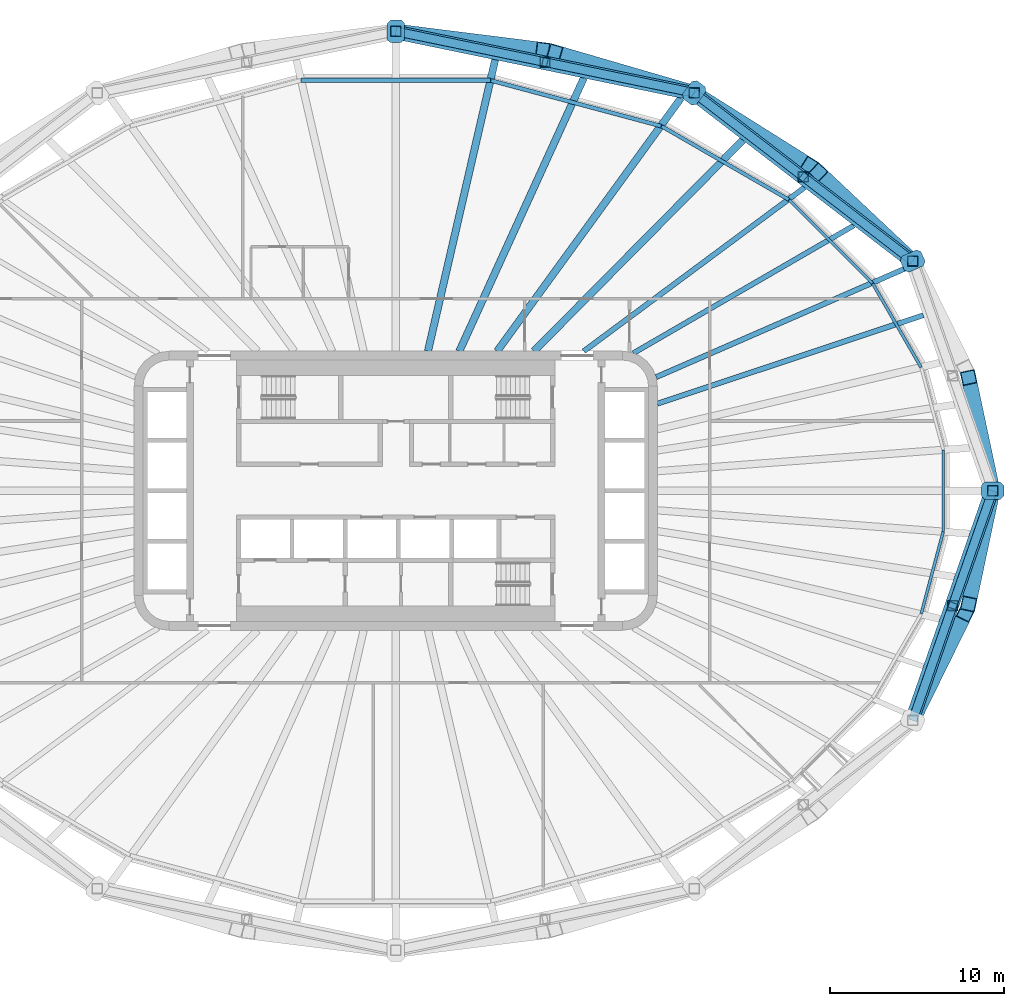
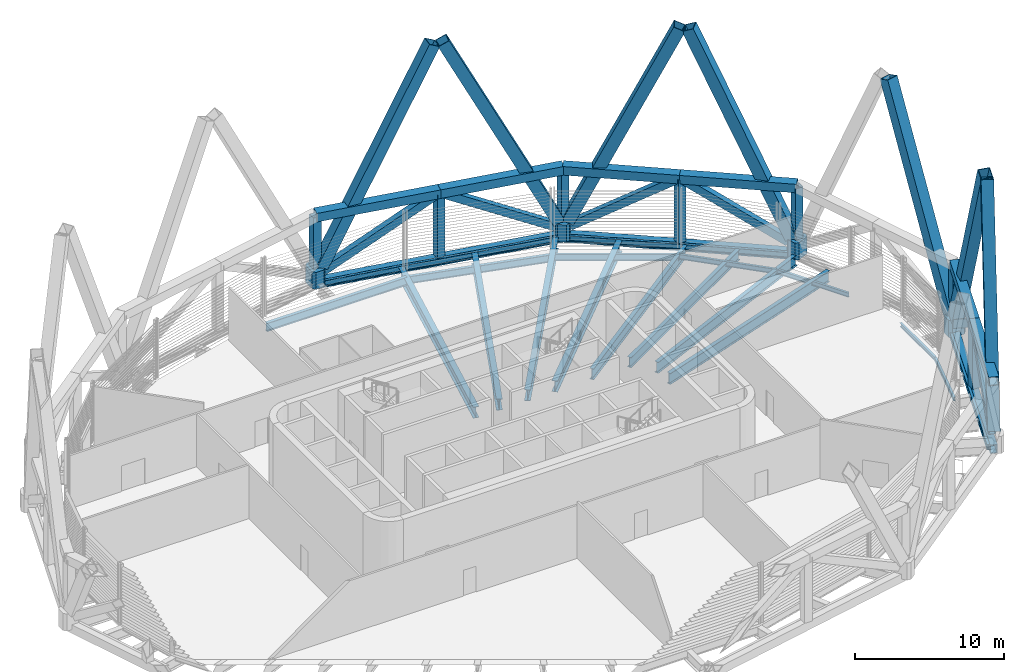
# One storey, part 4 of 18: 30 members, 21 beams.
"""IFC4 building model written with IfcOpenShell, lengths in metres."""

from ifc_helpers import new_model, si_unit, direction, frame, origin, origin_2d, place, context, subcontext, project, spatial, polyline, hollow_rectangle, i_section, outline, extrude, material, material_profile, profile_set, type_object, element, save


model = new_model("IFC4")

# Units and contexts
model_context = context("Model", 3, precision=1e-05, world=origin(), true_north=direction((0.0, 1.0)))
body_context = subcontext(model_context, "Body", "Model", "MODEL_VIEW")
ifc_project = project(units=[si_unit("LENGTHUNIT", "METRE"), si_unit("AREAUNIT", "SQUARE_METRE"), si_unit("VOLUMEUNIT", "CUBIC_METRE"), si_unit("PLANEANGLEUNIT", "RADIAN"), si_unit("MASSUNIT", "GRAM", prefix="KILO")], contexts=[model_context])

# Site, building, storey
site_placement = place(None, origin())
site = spatial("IfcSite", under=ifc_project, at=site_placement, CompositionType="ELEMENT")
building_placement = place(site_placement, origin())
building = spatial("IfcBuilding", under=site, at=building_placement, Name="Sahrelin Media Tower", CompositionType="ELEMENT")
storey_placement = place(building_placement, frame((0.0, 0.0, 148.199951171875)))
storey = spatial("IfcBuildingStorey", under=building, at=storey_placement, Name="L30", CompositionType="ELEMENT", Elevation=148.199951171875)

# Members
ifc_material_1 = material(Name="Steel S460", Category="steel")
ifc_material_profile_1 = material_profile(ifc_material_1, hollow_rectangle(XDim=0.699951171875, YDim=0.699951171875, WallThickness=0.044921875, at=origin_2d()), Name="Belt truss chord BC")
ifc_profile_set_1 = profile_set([ifc_material_profile_1], Name="Steel S460")
member_type_1 = type_object("IfcMemberType", Name="Belt truss chord BC", PredefinedType="CHORD", material=ifc_profile_set_1)
member_1_placement = place(storey_placement, frame((29.642822265625, 13.1728515625, 4.900146484375), z_axis=(-0.792443697113, 0.609945068761, 0.0), x_axis=(-0.609945068761, -0.792443697113, 0.0)))
element("IfcMember", 1, at=member_1_placement, inside=storey, type_object=member_type_1, Name="Belt truss member BT06-01-T1", PredefinedType="CHORD", context=body_context, shape_type="SweptSolid", body=[
    extrude(hollow_rectangle(XDim=0.699951171875, YDim=0.699951171875, WallThickness=0.044921875, at=origin_2d()), origin(), (0.0, 0.0, 1.0), 7.90478515625),
])
member_2_placement = place(storey_placement, frame((23.378662109375, 17.994384765625, 4.900146484375), z_axis=(-0.792455186877, 0.609930140911, 0.0), x_axis=(-0.609930140911, -0.792455186877, 0.0)))
element("IfcMember", 2, at=member_2_placement, inside=storey, type_object=member_type_1, Name="Belt truss member BT06-01-T2", PredefinedType="CHORD", context=body_context, shape_type="SweptSolid", body=[
    extrude(hollow_rectangle(XDim=0.699951171875, YDim=0.699951171875, WallThickness=0.044921875, at=origin_2d()), origin(), (0.0, 0.0, 1.0), 7.905029296875),
])
for number, where, z_axis, x_axis, name in (
    (3, (17.1142578125, 22.81591796875, 4.900146484375), (-0.979386210613, 0.20199665953, 0.0), (-0.20199665953, -0.979386210613, 0.0), "Belt truss member BT06-02-T1"),
    (4, (8.55712890625, 24.580810546875, 4.900146484375), (-0.979386210613, 0.20199665953, 0.0), (-0.20199665953, -0.979386210613, 0.0), "Belt truss member BT06-02-T2"),
):
    element("IfcMember", number, at=place(storey_placement, frame(where, z_axis=z_axis, x_axis=x_axis)), inside=storey, type_object=member_type_1, Name=name, PredefinedType="CHORD", context=body_context, shape_type="SweptSolid", body=[
        extrude(hollow_rectangle(XDim=0.699951171875, YDim=0.699951171875, WallThickness=0.044921875, at=origin_2d()), origin(), (0.0, 0.0, 1.0), 8.7373046875),
    ])
for number, where, z_axis, x_axis, name in (
    (5, (29.642822265625, -13.1728515625, 4.900146484375), (0.328781301843, 0.944406086151, 0.0), (-0.944406086151, 0.328781301843, 0.0), "Belt truss member BT06-11-T1"),
    (6, (31.935791015625, -6.58642578125, 4.900146484375), (0.328781301843, 0.944406086151, 0.0), (-0.944406086151, 0.328781301843, 0.0), "Belt truss member BT06-11-T2"),
):
    element("IfcMember", number, at=place(storey_placement, frame(where, z_axis=z_axis, x_axis=x_axis)), inside=storey, type_object=member_type_1, Name=name, PredefinedType="CHORD", context=body_context, shape_type="SweptSolid", body=[
        extrude(hollow_rectangle(XDim=0.699951171875, YDim=0.699951171875, WallThickness=0.044921875, at=origin_2d()), origin(), (0.0, 0.0, 1.0), 6.97412109375),
    ])
ifc_material_profile_2 = material_profile(ifc_material_1, hollow_rectangle(XDim=0.5, YDim=0.60009765625, WallThickness=0.030029296875, at=origin_2d()), Name="Belt truss diagonal BD")
ifc_profile_set_2 = profile_set([ifc_material_profile_2], Name="Steel S460")
member_type_2 = type_object("IfcMemberType", Name="Belt truss diagonal BD", PredefinedType="BRACE", material=ifc_profile_set_2)
member_3_placement = place(storey_placement, frame((29.192138671875, 13.519775390625, 0.3525390625), z_axis=(-0.673534148891, 0.51841650768, 0.526873869956), x_axis=(-0.609942328801, -0.792445806057, 0.0)))
element("IfcMember", 7, at=member_3_placement, inside=storey, type_object=member_type_2, Name="Belt truss member BT06-01-X1", PredefinedType="BRACE", context=body_context, shape_type="SweptSolid", body=[
    extrude(hollow_rectangle(XDim=0.5, YDim=0.60009765625, WallThickness=0.030029296875, at=origin_2d()), origin(), (0.0, 0.0, 1.0), 8.63134765625),
])
member_4_placement = place(storey_placement, frame((17.510498046875, 22.510986328125, 0.31005859375), z_axis=(0.673550356599, -0.518417440385, 0.526852232253), x_axis=(0.609933801011, 0.792452369789, 0.0)))
element("IfcMember", 8, at=member_4_placement, inside=storey, type_object=member_type_2, Name="Belt truss member BT06-01-X2", PredefinedType="BRACE", context=body_context, shape_type="SweptSolid", body=[
    extrude(hollow_rectangle(XDim=0.5, YDim=0.60009765625, WallThickness=0.030029296875, at=origin_2d()), origin(), (0.0, 0.0, 1.0), 8.71240234375),
])
member_5_placement = place(storey_placement, frame((16.572998046875, 22.927490234375, 0.31005859375), z_axis=(-0.854220181394, 0.17618795323, 0.489147919178), x_axis=(-0.20200387828, -0.979384721731, 0.0)))
element("IfcMember", 9, at=member_5_placement, inside=storey, type_object=member_type_2, Name="Belt truss member BT06-02-X1", PredefinedType="BRACE", context=body_context, shape_type="SweptSolid", body=[
    extrude(hollow_rectangle(XDim=0.5, YDim=0.60009765625, WallThickness=0.030029296875, at=origin_2d()), origin(), (0.0, 0.0, 1.0), 9.3837890625),
])
member_6_placement = place(storey_placement, frame((0.5, 26.24267578125, 0.286376953125), z_axis=(0.854217177148, -0.176191028569, 0.489152057868), x_axis=(0.202007941811, 0.979383883595, 0.0)))
element("IfcMember", 10, at=member_6_placement, inside=storey, type_object=member_type_2, Name="Belt truss member BT06-02-X2", PredefinedType="BRACE", context=body_context, shape_type="SweptSolid", body=[
    extrude(hollow_rectangle(XDim=0.5, YDim=0.60009765625, WallThickness=0.030029296875, at=origin_2d()), origin(), (0.0, 0.0, 1.0), 9.43212890625),
])
member_7_placement = place(storey_placement, frame((29.807861328125, -12.69921875, 0.3525390625), z_axis=(0.269002707075, 0.772750089461, 0.574886808706), x_axis=(-0.944413313299, 0.328760541525, 0.0)))
element("IfcMember", 11, at=member_7_placement, inside=storey, type_object=member_type_2, Name="Belt truss member BT06-11-X1", PredefinedType="BRACE", context=body_context, shape_type="SweptSolid", body=[
    extrude(hollow_rectangle(XDim=0.5, YDim=0.60009765625, WallThickness=0.030029296875, at=origin_2d()), origin(), (0.0, 0.0, 1.0), 7.910400390625),
])
member_8_placement = place(storey_placement, frame((34.0546875, -0.5, 0.3720703125), z_axis=(-0.269018182349, -0.772741477817, 0.574891142763), x_axis=(0.944406303282, -0.328780678146, 0.0)))
element("IfcMember", 12, at=member_8_placement, inside=storey, type_object=member_type_2, Name="Belt truss member BT06-11-X2", PredefinedType="BRACE", context=body_context, shape_type="SweptSolid", body=[
    extrude(hollow_rectangle(XDim=0.5, YDim=0.60009765625, WallThickness=0.030029296875, at=origin_2d()), origin(), (0.0, 0.0, 1.0), 7.87646484375),
])
ifc_material_profile_3 = material_profile(ifc_material_1, hollow_rectangle(XDim=0.60009765625, YDim=0.60009765625, WallThickness=0.034912109375, at=origin_2d()), Name="Belt truss post BP")
ifc_profile_set_3 = profile_set([ifc_material_profile_3], Name="Steel S460")
member_type_3 = type_object("IfcMemberType", Name="Belt truss post BP", PredefinedType="POST", material=ifc_profile_set_3)
for number, where, z_axis, x_axis, name in (
    (13, (34.228759765625, 0.0, 0.699951171875), (0.0, 0.0, 1.0), (1.0, 0.0, 0.0), "Belt truss member BT06-00-P0"),
    (14, (29.642822265625, 13.1728515625, 0.699951171875), (0.0, 0.0, 1.0), (1.0, 0.0, 0.0), "Belt truss member BT06-01-P0"),
):
    element("IfcMember", number, at=place(storey_placement, frame(where, z_axis=z_axis, x_axis=x_axis)), inside=storey, type_object=member_type_3, Name=name, PredefinedType="POST", context=body_context, shape_type="SweptSolid", body=[
        extrude(hollow_rectangle(XDim=0.60009765625, YDim=0.60009765625, WallThickness=0.034912109375, at=origin_2d()), origin(), (0.0, 0.0, 1.0), 4.2001953125),
    ])
member_9_placement = place(storey_placement, frame((23.378662109375, 17.994384765625, -0.320068359375), z_axis=(0.0, 0.0, 1.0), x_axis=(1.0, 0.0, 0.0)))
element("IfcMember", 15, at=member_9_placement, inside=storey, type_object=member_type_3, Name="Belt truss member BT06-01-P1", PredefinedType="POST", context=body_context, shape_type="SweptSolid", body=[
    extrude(hollow_rectangle(XDim=0.60009765625, YDim=0.60009765625, WallThickness=0.034912109375, at=origin_2d()), origin(), (0.0, 0.0, 1.0), 5.22021484375),
])
member_10_placement = place(storey_placement, frame((17.1142578125, 22.81591796875, 0.699951171875), z_axis=(0.0, 0.0, 1.0), x_axis=(1.0, 0.0, 0.0)))
element("IfcMember", 16, at=member_10_placement, inside=storey, type_object=member_type_3, Name="Belt truss member BT06-02-P0", PredefinedType="POST", context=body_context, shape_type="SweptSolid", body=[
    extrude(hollow_rectangle(XDim=0.60009765625, YDim=0.60009765625, WallThickness=0.034912109375, at=origin_2d()), origin(), (0.0, 0.0, 1.0), 4.2001953125),
])
member_11_placement = place(storey_placement, frame((8.55712890625, 24.580810546875, -0.320068359375), z_axis=(0.0, 0.0, 1.0), x_axis=(1.0, 0.0, 0.0)))
element("IfcMember", 17, at=member_11_placement, inside=storey, type_object=member_type_3, Name="Belt truss member BT06-02-P1", PredefinedType="POST", context=body_context, shape_type="SweptSolid", body=[
    extrude(hollow_rectangle(XDim=0.60009765625, YDim=0.60009765625, WallThickness=0.034912109375, at=origin_2d()), origin(), (0.0, 0.0, 1.0), 5.22021484375),
])
member_12_placement = place(storey_placement, frame((0.0, 26.345703125, 0.699951171875), z_axis=(0.0, 0.0, 1.0), x_axis=(1.0, 0.0, 0.0)))
element("IfcMember", 18, at=member_12_placement, inside=storey, type_object=member_type_3, Name="Belt truss member BT06-03-P0", PredefinedType="POST", context=body_context, shape_type="SweptSolid", body=[
    extrude(hollow_rectangle(XDim=0.60009765625, YDim=0.60009765625, WallThickness=0.034912109375, at=origin_2d()), origin(), (0.0, 0.0, 1.0), 4.2001953125),
])
member_13_placement = place(storey_placement, frame((31.935791015625, -6.58642578125, -0.320068359375), z_axis=(0.0, 0.0, 1.0), x_axis=(1.0, 0.0, 0.0)))
element("IfcMember", 19, at=member_13_placement, inside=storey, type_object=member_type_3, Name="Belt truss member BT06-11-P1", PredefinedType="POST", context=body_context, shape_type="SweptSolid", body=[
    extrude(hollow_rectangle(XDim=0.60009765625, YDim=0.60009765625, WallThickness=0.034912109375, at=origin_2d()), origin(), (0.0, 0.0, 1.0), 5.22021484375),
])
ifc_material_profile_4 = material_profile(ifc_material_1, hollow_rectangle(XDim=0.85009765625, YDim=0.85009765625, WallThickness=0.044921875, at=origin_2d()), Name="Diagrid diagonal DG4")
ifc_profile_set_4 = profile_set([ifc_material_profile_4], Name="Steel S460")
member_type_4 = type_object("IfcMemberType", Name="Diagrid diagonal DG4", PredefinedType="BRACE", material=ifc_profile_set_4)
member_14_placement = place(storey_placement, frame((34.1708984375, 0.272216796875, 0.699951171875), z_axis=(-0.076588260659, 0.361231133498, 0.929325726816), x_axis=(-0.978254198931, -0.207409552031, 0.0)))
element("IfcMember", 20, at=member_14_placement, inside=storey, type_object=member_type_4, Name="Diagrid diagonal D06-00", PredefinedType="BRACE", context=body_context, shape_type="SweptSolid", body=[
    extrude(hollow_rectangle(XDim=0.85009765625, YDim=0.85009765625, WallThickness=0.044921875, at=origin_2d()), origin(), (0.0, 0.0, 1.0), 17.216796875),
])
member_15_placement = place(storey_placement, frame((29.416259765625, 13.38623046875, 0.699951171875), z_axis=(-0.295925654964, 0.278596172767, 0.913680567405), x_axis=(-0.685466340944, -0.728104316313, 0.0)))
element("IfcMember", 21, at=member_15_placement, inside=storey, type_object=member_type_4, Name="Diagrid diagonal D06-02", PredefinedType="BRACE", context=body_context, shape_type="SweptSolid", body=[
    extrude(hollow_rectangle(XDim=0.85009765625, YDim=0.85009765625, WallThickness=0.044921875, at=origin_2d()), origin(), (0.0, 0.0, 1.0), 17.511474609375),
])
member_16_placement = place(storey_placement, frame((17.3916015625, 22.6416015625, 0.699951171875), z_axis=(0.358790983569, -0.225788733131, 0.905697785192), x_axis=(0.532616119089, 0.846356939882, 0.0)))
element("IfcMember", 22, at=member_16_placement, inside=storey, type_object=member_type_4, Name="Diagrid diagonal D06-03", PredefinedType="BRACE", context=body_context, shape_type="SweptSolid", body=[
    extrude(hollow_rectangle(XDim=0.85009765625, YDim=0.85009765625, WallThickness=0.044921875, at=origin_2d()), origin(), (0.0, 0.0, 1.0), 17.666015625),
])
member_17_placement = place(storey_placement, frame((16.779296875, 22.91357421875, 0.699951171875), z_axis=(-0.428302446582, 0.124777586788, 0.894979088072), x_axis=(-0.279702584075, -0.960086696326, 0.0)))
element("IfcMember", 23, at=member_17_placement, inside=storey, type_object=member_type_4, Name="Diagrid diagonal D06-04", PredefinedType="BRACE", context=body_context, shape_type="SweptSolid", body=[
    extrude(hollow_rectangle(XDim=0.85009765625, YDim=0.85009765625, WallThickness=0.044921875, at=origin_2d()), origin(), (0.0, 0.0, 1.0), 17.87744140625),
])
member_18_placement = place(storey_placement, frame((0.353515625, 26.30126953125, 0.699951171875), z_axis=(0.45007404316, -0.056529528278, 0.891200184081), x_axis=(0.124621372618, 0.992204370826, 0.0)))
element("IfcMember", 24, at=member_18_placement, inside=storey, type_object=member_type_4, Name="Diagrid diagonal D06-05", PredefinedType="BRACE", context=body_context, shape_type="SweptSolid", body=[
    extrude(hollow_rectangle(XDim=0.85009765625, YDim=0.85009765625, WallThickness=0.044921875, at=origin_2d()), origin(), (0.0, 0.0, 1.0), 17.953369140625),
])
member_19_placement = place(storey_placement, frame((29.769775390625, -12.9150390625, 0.699951171875), z_axis=(0.167569441572, 0.340756997688, 0.925097373674), x_axis=(-0.897366617506, 0.44128579604, 0.0)))
element("IfcMember", 25, at=member_19_placement, inside=storey, type_object=member_type_4, Name="Diagrid diagonal D06-22", PredefinedType="BRACE", context=body_context, shape_type="SweptSolid", body=[
    extrude(hollow_rectangle(XDim=0.85009765625, YDim=0.85009765625, WallThickness=0.044921875, at=origin_2d()), origin(), (0.0, 0.0, 1.0), 17.29541015625),
])
member_20_placement = place(storey_placement, frame((34.1708984375, -0.272216796875, 0.699951171875), z_axis=(-0.076588260659, -0.361231133498, 0.929325726816), x_axis=(0.978254198931, -0.207409552031, 0.0)))
element("IfcMember", 26, at=member_20_placement, inside=storey, type_object=member_type_4, Name="Diagrid diagonal D06-23", PredefinedType="BRACE", context=body_context, shape_type="SweptSolid", body=[
    extrude(hollow_rectangle(XDim=0.85009765625, YDim=0.85009765625, WallThickness=0.044921875, at=origin_2d()), origin(), (0.0, 0.0, 1.0), 17.216796875),
])
ifc_material_profile_5 = material_profile(ifc_material_1, outline(polyline([(0.449951171875, -0.5), (0.64990234375, -0.300048828125), (0.64990234375, 0.300048828125), (0.449951171875, 0.5), (-0.449951171875, 0.5), (-0.64990234375, 0.300048828125), (-0.64990234375, -0.300048828125), (-0.449951171875, -0.5), (0.449951171875, -0.5)])), Name="Diagrid node block 1300")
ifc_profile_set_5 = profile_set([ifc_material_profile_5], Name="Steel S460")
member_type_5 = type_object("IfcMemberType", Name="Diagrid node block 1300", PredefinedType="USERDEFINED", material=ifc_profile_set_5)
for number, where, z_axis, x_axis, name in (
    (27, (34.228759765625, 0.0, -0.699951171875), (0.0, 0.0, 1.0), (1.0, 0.0, 0.0), "Diagrid node N06-00"),
    (28, (29.642822265625, 13.1728515625, -0.699951171875), (0.0, 0.0, 1.0), (0.913831317054, 0.40609398416, 0.0), "Diagrid node N06-01"),
    (29, (17.1142578125, 22.81591796875, -0.699951171875), (0.0, 0.0, 1.0), (0.600051693363, 0.799961227368, 0.0), "Diagrid node N06-02"),
    (30, (0.0, 26.345703125, -0.699951171875), (0.0, 0.0, 1.0), (0.0, 1.0, 0.0), "Diagrid node N06-03"),
):
    element("IfcMember", number, at=place(storey_placement, frame(where, z_axis=z_axis, x_axis=x_axis)), inside=storey, type_object=member_type_5, Name=name, ObjectType="NODE", PredefinedType="USERDEFINED", context=body_context, shape_type="SweptSolid", body=[
        extrude(outline(polyline([(0.449951171875, -0.5), (0.64990234375, -0.300048828125), (0.64990234375, 0.300048828125), (0.449951171875, 0.5), (-0.449951171875, 0.5), (-0.64990234375, 0.300048828125), (-0.64990234375, -0.300048828125), (-0.449951171875, -0.5), (0.449951171875, -0.5)])), origin(), (0.0, 0.0, 1.0), 1.39990234375),
    ])

# Beams
ifc_material_profile_6 = material_profile(ifc_material_1, hollow_rectangle(XDim=0.5, YDim=0.699951171875, WallThickness=0.034912109375, at=origin_2d()), Name="Diagrid ring beam RB2")
ifc_profile_set_6 = profile_set([ifc_material_profile_6], Name="Steel S460")
beam_type_1 = type_object("IfcBeamType", Name="Diagrid ring beam RB2", PredefinedType="BEAM", material=ifc_profile_set_6)
beam_1_placement = place(storey_placement, frame((29.642822265625, 13.1728515625, -0.64990234375), z_axis=(-0.7924494421, 0.609937604772, 0.0), x_axis=(-0.609937604772, -0.7924494421, 0.0)))
element("IfcBeam", 31, at=beam_1_placement, inside=storey, type_object=beam_type_1, Name="Diagrid ring beam RB06-01", PredefinedType="BEAM", context=body_context, shape_type="SweptSolid", body=[
    extrude(hollow_rectangle(XDim=0.5, YDim=0.699951171875, WallThickness=0.034912109375, at=origin_2d()), origin(), (0.0, 0.0, 1.0), 15.809814453125),
])
beam_2_placement = place(storey_placement, frame((17.1142578125, 22.81591796875, -0.64990234375), z_axis=(-0.979386210613, 0.20199665953, 0.0), x_axis=(-0.20199665953, -0.979386210613, 0.0)))
element("IfcBeam", 32, at=beam_2_placement, inside=storey, type_object=beam_type_1, Name="Diagrid ring beam RB06-02", PredefinedType="BEAM", context=body_context, shape_type="SweptSolid", body=[
    extrude(hollow_rectangle(XDim=0.5, YDim=0.699951171875, WallThickness=0.034912109375, at=origin_2d()), origin(), (0.0, 0.0, 1.0), 17.474365234375),
])
beam_3_placement = place(storey_placement, frame((29.642822265625, -13.1728515625, -0.64990234375), z_axis=(0.328781301843, 0.944406086151, 0.0), x_axis=(-0.944406086151, 0.328781301843, 0.0)))
element("IfcBeam", 33, at=beam_3_placement, inside=storey, type_object=beam_type_1, Name="Diagrid ring beam RB06-11", PredefinedType="BEAM", context=body_context, shape_type="SweptSolid", body=[
    extrude(hollow_rectangle(XDim=0.5, YDim=0.699951171875, WallThickness=0.034912109375, at=origin_2d()), origin(), (0.0, 0.0, 1.0), 13.9482421875),
])
ifc_material_2 = material(Name="Steel S355", Category="steel")
ifc_material_profile_7 = material_profile(ifc_material_2, i_section(OverallWidth=0.1650390625, OverallDepth=0.303466796875, WebThickness=0.006103515625, FlangeThickness=0.01025390625, FilletRadius=0.0087890625, at=origin_2d()), Name="UB 305x165x40")
ifc_profile_set_7 = profile_set([ifc_material_profile_7], Name="Steel S355")
beam_type_2 = type_object("IfcBeamType", Name="Edge beam EB2", PredefinedType="BEAM", material=ifc_profile_set_7)
beam_4_placement = place(storey_placement, frame((31.396484375, 2.323974609375, -0.45166015625), z_axis=(0.0, -1.0, 0.0), x_axis=(1.0, 0.0, 0.0)))
element("IfcBeam", 34, at=beam_4_placement, inside=storey, type_object=beam_type_2, Name="Edge beam L30-01", PredefinedType="BEAM", context=body_context, shape_type="SweptSolid", body=[
    extrude(i_section(OverallWidth=0.1650390625, OverallDepth=0.303466796875, WebThickness=0.006103515625, FlangeThickness=0.01025390625, FilletRadius=0.0087890625, at=origin_2d()), origin(), (0.0, 0.0, 1.0), 4.64794921875),
])
beam_5_placement = place(storey_placement, frame((31.392822265625, -2.3525390625, -0.45166015625), z_axis=(-0.258846475781, -0.965918475844, 0.0), x_axis=(0.965918475844, -0.258846475781, 0.0)))
element("IfcBeam", 35, at=beam_5_placement, inside=storey, type_object=beam_type_2, Name="Edge beam L30-02", PredefinedType="BEAM", context=body_context, shape_type="SweptSolid", body=[
    extrude(i_section(OverallWidth=0.1650390625, OverallDepth=0.303466796875, WebThickness=0.006103515625, FlangeThickness=0.01025390625, FilletRadius=0.0087890625, at=origin_2d()), origin(), (0.0, 0.0, 1.0), 4.864013671875),
])
ifc_material_profile_8 = material_profile(ifc_material_2, i_section(OverallWidth=0.17138671875, OverallDepth=0.35498046875, WebThickness=0.00732421875, FlangeThickness=0.011474609375, FilletRadius=0.01025390625, at=origin_2d()), Name="UB 356x171x51")
ifc_profile_set_8 = profile_set([ifc_material_profile_8], Name="Steel S355")
beam_type_3 = type_object("IfcBeamType", Name="Edge beam EB3", PredefinedType="BEAM", material=ifc_profile_set_8)
beam_6_placement = place(storey_placement, frame((27.351318359375, 11.878173828125, -0.4775390625), z_axis=(0.499966449638, -0.866044773228, 0.0), x_axis=(0.866044773228, 0.499966449638, 0.0)))
element("IfcBeam", 36, at=beam_6_placement, inside=storey, type_object=beam_type_3, Name="Edge beam L30-23", PredefinedType="BEAM", context=body_context, shape_type="SweptSolid", body=[
    extrude(i_section(OverallWidth=0.17138671875, OverallDepth=0.35498046875, WebThickness=0.00732421875, FlangeThickness=0.011474609375, FilletRadius=0.01025390625, at=origin_2d()), origin(), (0.0, 0.0, 1.0), 5.54345703125),
])
ifc_material_profile_9 = material_profile(ifc_material_2, i_section(OverallWidth=0.177978515625, OverallDepth=0.406494140625, WebThickness=0.0078125, FlangeThickness=0.0126953125, FilletRadius=0.01025390625, at=origin_2d()), Name="UB 406x178x60")
ifc_profile_set_9 = profile_set([ifc_material_profile_9], Name="Steel S355")
beam_type_4 = type_object("IfcBeamType", Name="Edge beam EB4", PredefinedType="BEAM", material=ifc_profile_set_9)
beam_7_placement = place(storey_placement, frame((22.562255859375, 16.67236328125, -0.503173828125), z_axis=(0.707106781187, -0.707106781187, 0.0), x_axis=(0.707106781187, 0.707106781187, 0.0)))
element("IfcBeam", 37, at=beam_7_placement, inside=storey, type_object=beam_type_4, Name="Edge beam L30-22", PredefinedType="BEAM", context=body_context, shape_type="SweptSolid", body=[
    extrude(i_section(OverallWidth=0.177978515625, OverallDepth=0.406494140625, WebThickness=0.0078125, FlangeThickness=0.0126953125, FilletRadius=0.01025390625, at=origin_2d()), origin(), (0.0, 0.0, 1.0), 6.747802734375),
])
ifc_material_profile_10 = material_profile(ifc_material_2, i_section(OverallWidth=0.208740234375, OverallDepth=0.5283203125, WebThickness=0.009521484375, FlangeThickness=0.01318359375, FilletRadius=0.0126953125, at=origin_2d()), Name="UB 533x210x82")
ifc_profile_set_10 = profile_set([ifc_material_profile_10], Name="Steel S355")
beam_type_5 = type_object("IfcBeamType", Name="Edge beam EB6", PredefinedType="BEAM", material=ifc_profile_set_10)
beam_8_placement = place(storey_placement, frame((15.24365234375, 20.902099609375, -0.564208984375), z_axis=(0.866024877911, -0.500000910839, 0.0), x_axis=(0.500000910839, 0.866024877911, 0.0)))
element("IfcBeam", 38, at=beam_8_placement, inside=storey, type_object=beam_type_5, Name="Edge beam L30-21", PredefinedType="BEAM", context=body_context, shape_type="SweptSolid", body=[
    extrude(i_section(OverallWidth=0.208740234375, OverallDepth=0.5283203125, WebThickness=0.009521484375, FlangeThickness=0.01318359375, FilletRadius=0.0126953125, at=origin_2d()), origin(), (0.0, 0.0, 1.0), 8.42431640625),
])
ifc_material_profile_11 = material_profile(ifc_material_2, i_section(OverallWidth=0.2275390625, OverallDepth=0.6025390625, WebThickness=0.010498046875, FlangeThickness=0.014892578125, FilletRadius=0.0126953125, at=origin_2d()), Name="UB 610x229x101")
ifc_profile_set_11 = profile_set([ifc_material_profile_11], Name="Steel S355")
beam_type_6 = type_object("IfcBeamType", Name="Edge beam EB7", PredefinedType="BEAM", material=ifc_profile_set_11)
beam_9_placement = place(storey_placement, frame((5.45556640625, 23.52880859375, -0.601318359375), z_axis=(0.965922278313, -0.258832285968, 0.0), x_axis=(0.258832285968, 0.965922278313, 0.0)))
element("IfcBeam", 39, at=beam_9_placement, inside=storey, type_object=beam_type_6, Name="Edge beam L30-20", PredefinedType="BEAM", context=body_context, shape_type="SweptSolid", body=[
    extrude(i_section(OverallWidth=0.2275390625, OverallDepth=0.6025390625, WebThickness=0.010498046875, FlangeThickness=0.014892578125, FilletRadius=0.0126953125, at=origin_2d()), origin(), (0.0, 0.0, 1.0), 10.10595703125),
])
ifc_material_profile_12 = material_profile(ifc_material_2, i_section(OverallWidth=0.2529296875, OverallDepth=0.677978515625, WebThickness=0.01171875, FlangeThickness=0.01611328125, FilletRadius=0.01513671875, at=origin_2d()), Name="UB 686x254x125")
ifc_profile_set_12 = profile_set([ifc_material_profile_12], Name="Steel S355")
beam_type_7 = type_object("IfcBeamType", Name="Edge beam EB8", PredefinedType="BEAM", material=ifc_profile_set_12)
beam_10_placement = place(storey_placement, frame((-5.427001953125, 23.532470703125, -0.638916015625), z_axis=(1.0, 0.0, 0.0), x_axis=(0.0, 1.0, 0.0)))
element("IfcBeam", 40, at=beam_10_placement, inside=storey, type_object=beam_type_7, Name="Edge beam L30-19", PredefinedType="BEAM", context=body_context, shape_type="SweptSolid", body=[
    extrude(i_section(OverallWidth=0.2529296875, OverallDepth=0.677978515625, WebThickness=0.01171875, FlangeThickness=0.01611328125, FilletRadius=0.01513671875, at=origin_2d()), origin(), (0.0, 0.0, 1.0), 10.85400390625),
])
ifc_material_profile_13 = material_profile(ifc_material_2, i_section(OverallWidth=0.30322265625, OverallDepth=0.903076171875, WebThickness=0.01513671875, FlangeThickness=0.020263671875, FilletRadius=0.01904296875, at=origin_2d()), Name="UB 914x305x201")
ifc_profile_set_13 = profile_set([ifc_material_profile_13], Name="Steel S355")
beam_type_8 = type_object("IfcBeamType", Name="Radial primary beam PB11", PredefinedType="BEAM", material=ifc_profile_set_13)
beam_11_placement = place(storey_placement, frame((14.93212890625, 6.51513671875, -0.75146484375), z_axis=(0.916561684776, 0.399893333279, 0.0), x_axis=(-0.399893333279, 0.916561684776, 0.0)))
element("IfcBeam", 41, at=beam_11_placement, inside=storey, type_object=beam_type_8, Name="Radial beam L30-03", PredefinedType="BEAM", context=body_context, shape_type="SweptSolid", body=[
    extrude(i_section(OverallWidth=0.30322265625, OverallDepth=0.903076171875, WebThickness=0.01513671875, FlangeThickness=0.020263671875, FilletRadius=0.01904296875, at=origin_2d()), origin(), (0.0, 0.0, 1.0), 15.682373046875),
])
beam_12_placement = place(storey_placement, frame((10.78125, 8.0, -0.75146484375), z_axis=(0.803053778037, 0.595906561116, 0.0), x_axis=(-0.595906561116, 0.803053778037, 0.0)))
element("IfcBeam", 42, at=beam_12_placement, inside=storey, type_object=beam_type_8, Name="Radial beam L30-04", PredefinedType="BEAM", context=body_context, shape_type="SweptSolid", body=[
    extrude(i_section(OverallWidth=0.30322265625, OverallDepth=0.903076171875, WebThickness=0.01513671875, FlangeThickness=0.020263671875, FilletRadius=0.01904296875, at=origin_2d()), origin(), (0.0, 0.0, 1.0), 15.756591796875),
])
ifc_material_profile_14 = material_profile(ifc_material_2, i_section(OverallWidth=0.41845703125, OverallDepth=0.911865234375, WebThickness=0.019287109375, FlangeThickness=0.031982421875, FilletRadius=0.024169921875, at=origin_2d()), Name="UB 914x419x343")
ifc_profile_set_14 = profile_set([ifc_material_profile_14], Name="Steel S355")
beam_type_9 = type_object("IfcBeamType", Name="Radial primary beam PB12", PredefinedType="BEAM", material=ifc_profile_set_14)
beam_13_placement = place(storey_placement, frame((5.810791015625, 8.0, -0.755859375), z_axis=(0.587686175415, 0.809088968672, 0.0), x_axis=(-0.809088968672, 0.587686175415, 0.0)))
element("IfcBeam", 43, at=beam_13_placement, inside=storey, type_object=beam_type_9, Name="Radial beam L30-05", PredefinedType="BEAM", context=body_context, shape_type="SweptSolid", body=[
    extrude(i_section(OverallWidth=0.41845703125, OverallDepth=0.911865234375, WebThickness=0.019287109375, FlangeThickness=0.031982421875, FilletRadius=0.024169921875, at=origin_2d()), origin(), (0.0, 0.0, 1.0), 17.943115234375),
])
beam_14_placement = place(storey_placement, frame((1.8447265625, 8.0, -0.755859375), z_axis=(0.224709827661, 0.974425724903, 0.0), x_axis=(-0.974425724903, 0.224709827661, 0.0)))
element("IfcBeam", 44, at=beam_14_placement, inside=storey, type_object=beam_type_9, Name="Radial beam L30-06", PredefinedType="BEAM", context=body_context, shape_type="SweptSolid", body=[
    extrude(i_section(OverallWidth=0.41845703125, OverallDepth=0.911865234375, WebThickness=0.019287109375, FlangeThickness=0.031982421875, FilletRadius=0.024169921875, at=origin_2d()), origin(), (0.0, 0.0, 1.0), 17.154296875),
])
ifc_material_profile_15 = material_profile(ifc_material_2, i_section(OverallWidth=0.291748046875, OverallDepth=0.8349609375, WebThickness=0.013916015625, FlangeThickness=0.018798828125, FilletRadius=0.017822265625, at=origin_2d()), Name="UB 838x292x176")
ifc_profile_set_15 = profile_set([ifc_material_profile_15], Name="Steel S355")
beam_type_10 = type_object("IfcBeamType", Name="Radial secondary beam SB10", PredefinedType="BEAM", material=ifc_profile_set_15)
beam_15_placement = place(storey_placement, frame((13.622314453125, 7.888427734375, -0.717529296875), z_axis=(0.865372129268, 0.501129801435, 0.0), x_axis=(-0.501129801435, 0.865372129268, 0.0)))
element("IfcBeam", 45, at=beam_15_placement, inside=storey, type_object=beam_type_10, Name="Secondary beam L30-03", PredefinedType="BEAM", context=body_context, shape_type="SweptSolid", body=[
    extrude(i_section(OverallWidth=0.291748046875, OverallDepth=0.8349609375, WebThickness=0.013916015625, FlangeThickness=0.018798828125, FilletRadius=0.017822265625, at=origin_2d()), origin(), (0.0, 0.0, 1.0), 14.610595703125),
])
ifc_material_profile_16 = material_profile(ifc_material_2, i_section(OverallWidth=0.30322265625, OverallDepth=0.903076171875, WebThickness=0.01513671875, FlangeThickness=0.020263671875, FilletRadius=0.01904296875, at=origin_2d()), Name="UB 914x305x201")
ifc_profile_set_16 = profile_set([ifc_material_profile_16], Name="Steel S355")
beam_type_11 = type_object("IfcBeamType", Name="Radial secondary beam SB11", PredefinedType="BEAM", material=ifc_profile_set_16)
beam_16_placement = place(storey_placement, frame((15.0, 4.99169921875, -0.75146484375), z_axis=(0.948835067855, 0.315772091876, 0.0), x_axis=(-0.315772091876, 0.948835067855, 0.0)))
element("IfcBeam", 46, at=beam_16_placement, inside=storey, type_object=beam_type_11, Name="Secondary beam L30-02", PredefinedType="BEAM", context=body_context, shape_type="SweptSolid", body=[
    extrude(i_section(OverallWidth=0.30322265625, OverallDepth=0.903076171875, WebThickness=0.01513671875, FlangeThickness=0.020263671875, FilletRadius=0.01904296875, at=origin_2d()), origin(), (0.0, 0.0, 1.0), 16.07470703125),
])
ifc_material_profile_17 = material_profile(ifc_material_2, i_section(OverallWidth=0.41845703125, OverallDepth=0.911865234375, WebThickness=0.019287109375, FlangeThickness=0.031982421875, FilletRadius=0.024169921875, at=origin_2d()), Name="UB 914x419x343")
ifc_profile_set_17 = profile_set([ifc_material_profile_17], Name="Steel S355")
beam_type_12 = type_object("IfcBeamType", Name="Radial secondary beam SB12", PredefinedType="BEAM", material=ifc_profile_set_17)
beam_17_placement = place(storey_placement, frame((7.9189453125, 8.0, -0.755859375), z_axis=(0.703486115933, 0.710709001413, 0.0), x_axis=(-0.710709001413, 0.703486115933, 0.0)))
element("IfcBeam", 47, at=beam_17_placement, inside=storey, type_object=beam_type_12, Name="Secondary beam L30-04", PredefinedType="BEAM", context=body_context, shape_type="SweptSolid", body=[
    extrude(i_section(OverallWidth=0.41845703125, OverallDepth=0.911865234375, WebThickness=0.019287109375, FlangeThickness=0.031982421875, FilletRadius=0.024169921875, at=origin_2d()), origin(), (0.0, 0.0, 1.0), 17.03564453125),
])
beam_18_placement = place(storey_placement, frame((3.64404296875, 8.0, -0.755859375), z_axis=(0.414519724736, 0.910040327571, 0.0), x_axis=(-0.910040327571, 0.414519724736, 0.0)))
element("IfcBeam", 48, at=beam_18_placement, inside=storey, type_object=beam_type_12, Name="Secondary beam L30-05", PredefinedType="BEAM", context=body_context, shape_type="SweptSolid", body=[
    extrude(i_section(OverallWidth=0.41845703125, OverallDepth=0.911865234375, WebThickness=0.019287109375, FlangeThickness=0.031982421875, FilletRadius=0.024169921875, at=origin_2d()), origin(), (0.0, 0.0, 1.0), 17.21630859375),
])
ifc_material_profile_18 = material_profile(ifc_material_2, i_section(OverallWidth=0.1904296875, OverallDepth=0.45703125, WebThickness=0.009033203125, FlangeThickness=0.014404296875, FilletRadius=0.01025390625, at=origin_2d()), Name="UB 457x191x74")
ifc_profile_set_18 = profile_set([ifc_material_profile_18], Name="Steel S355")
beam_type_13 = type_object("IfcBeamType", Name="Tie chord TC5", PredefinedType="BEAM", material=ifc_profile_set_18)
beam_19_placement = place(storey_placement, frame((33.85791015625, 0.0, -0.528564453125), z_axis=(-0.328780773627, -0.944406270041, 0.0), x_axis=(0.944406270041, -0.328780773627, 0.0)))
element("IfcBeam", 49, at=beam_19_placement, inside=storey, type_object=beam_type_13, Name="Tie chord L30-01", PredefinedType="BEAM", context=body_context, shape_type="SweptSolid", body=[
    extrude(i_section(OverallWidth=0.1904296875, OverallDepth=0.45703125, WebThickness=0.009033203125, FlangeThickness=0.014404296875, FilletRadius=0.01025390625, at=origin_2d()), origin(), (0.0, 0.0, 1.0), 13.721923828125),
])
beam_20_placement = place(storey_placement, frame((0.0, 25.988037109375, -0.528564453125), z_axis=(0.979387799512, -0.201988955557, 0.0), x_axis=(0.201988955557, 0.979387799512, 0.0)))
element("IfcBeam", 50, at=beam_20_placement, inside=storey, type_object=beam_type_13, Name="Tie chord L30-10", PredefinedType="BEAM", context=body_context, shape_type="SweptSolid", body=[
    extrude(i_section(OverallWidth=0.1904296875, OverallDepth=0.45703125, WebThickness=0.009033203125, FlangeThickness=0.014404296875, FilletRadius=0.01025390625, at=origin_2d()), origin(), (0.0, 0.0, 1.0), 17.321533203125),
])
beam_21_placement = place(storey_placement, frame((16.964599609375, 22.4892578125, -0.528564453125), z_axis=(0.792445049932, -0.609943311167, 0.0), x_axis=(0.609943311167, 0.792445049932, 0.0)))
element("IfcBeam", 51, at=beam_21_placement, inside=storey, type_object=beam_type_13, Name="Tie chord L30-11", PredefinedType="BEAM", context=body_context, shape_type="SweptSolid", body=[
    extrude(i_section(OverallWidth=0.1904296875, OverallDepth=0.45703125, WebThickness=0.009033203125, FlangeThickness=0.014404296875, FilletRadius=0.01025390625, at=origin_2d()), origin(), (0.0, 0.0, 1.0), 15.624755859375),
])

save(model, "model.ifc")
